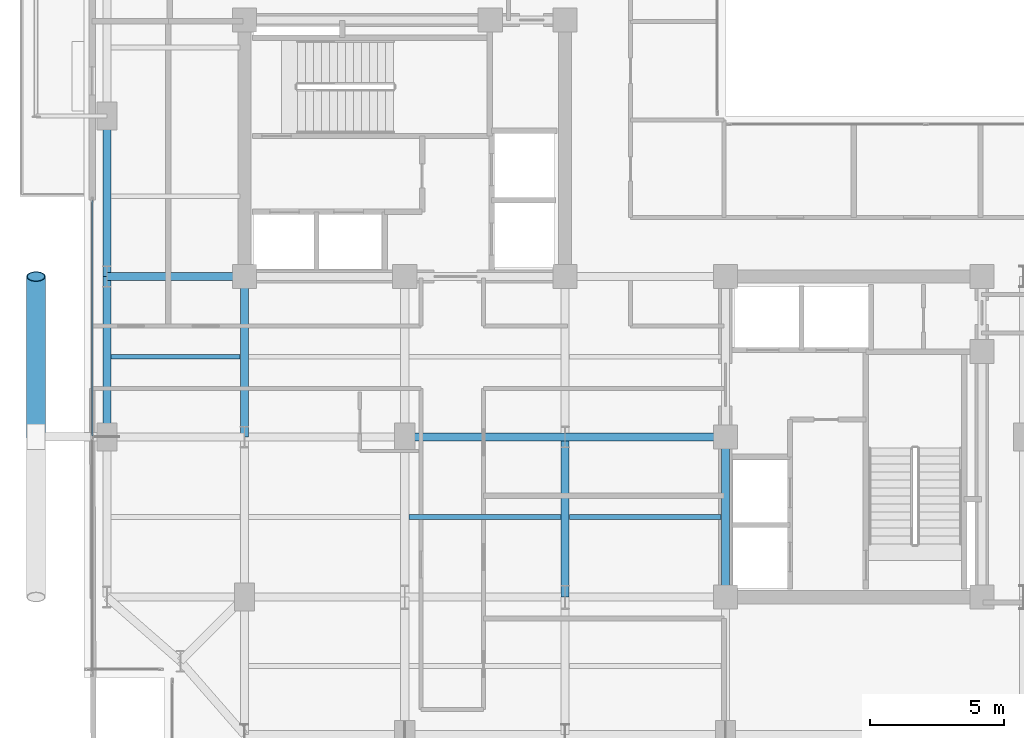
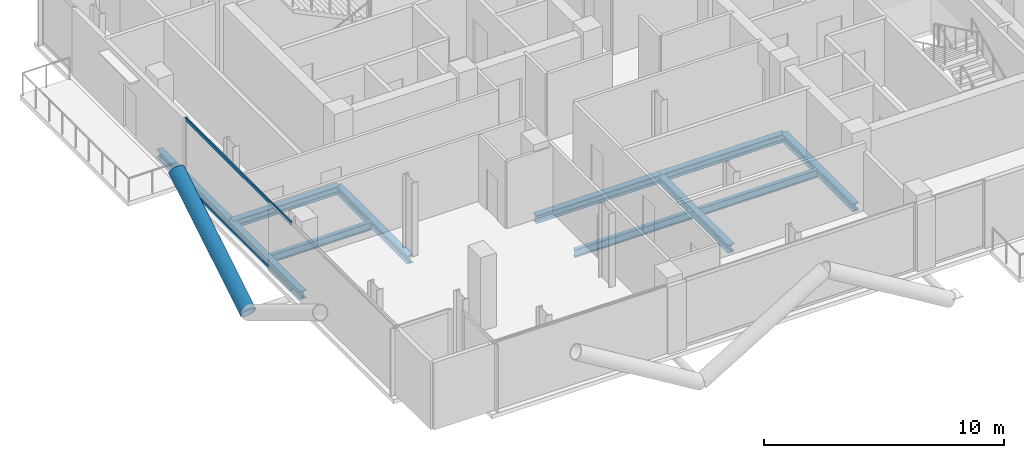
# One storey, part 6 of 25: 11 beams, 3 members, 1 element without a shape of its own.
"""IFC4 building model written with IfcOpenShell, lengths in metres."""

from ifc_helpers import new_model, si_unit, direction, frame, origin, origin_2d, place, context, subcontext, project, spatial, hollow_rectangle, hollow_circle, i_section, extrude, material, layer, layer_set, material_profile, profile_set, type_object, element, aggregate, save


model = new_model("IFC4")

# Units and contexts
model_context = context("Model", 3, precision=1e-05, world=origin(), true_north=direction((0.0, 1.0)))
body_context = subcontext(model_context, "Body", "Model", "MODEL_VIEW")
ifc_project = project(units=[si_unit("LENGTHUNIT", "METRE"), si_unit("AREAUNIT", "SQUARE_METRE"), si_unit("VOLUMEUNIT", "CUBIC_METRE"), si_unit("PLANEANGLEUNIT", "RADIAN"), si_unit("MASSUNIT", "GRAM", prefix="KILO"), si_unit("THERMODYNAMICTEMPERATUREUNIT", "KELVIN"), si_unit("POWERUNIT", "WATT")], contexts=[model_context])

# Site, building, storey
site_placement = place(None, origin())
site = spatial("IfcSite", under=ifc_project, at=site_placement, CompositionType="ELEMENT")
building_placement = place(site_placement, origin())
building = spatial("IfcBuilding", under=site, at=building_placement, Name="Svarakhadi Broadcast Tower", CompositionType="ELEMENT")
storey_placement = place(building_placement, frame((0.0, 0.0, 231.14990234375)))
storey = spatial("IfcBuildingStorey", under=building, at=storey_placement, Name="L57", CompositionType="ELEMENT", Elevation=231.14990234375)

# Beams
ifc_material_1 = material(Name="Steel S355J2 (IS 2062 E350C)", Category="steel")
ifc_material_profile_1 = material_profile(ifc_material_1, i_section(OverallWidth=0.179931640625, OverallDepth=0.39990234375, WebThickness=0.008544921875, FlangeThickness=0.013427734375, FilletRadius=0.02099609375, at=origin_2d()), Name="NPB 400x180x66")
ifc_profile_set_1 = profile_set([ifc_material_profile_1], Name="Steel S355J2 (IS 2062 E350C)")
beam_type_1 = type_object("IfcBeamType", Name="Beam_NPB400", PredefinedType="BEAM", material=ifc_profile_set_1)
beam_1_placement = place(storey_placement, frame((1.010009765625, 15.0, -0.409912109375), z_axis=(1.0, 0.0, 0.0), x_axis=(0.0, 1.0, 0.0)))
element("IfcBeam", 1, at=beam_1_placement, inside=storey, type_object=beam_type_1, Name="L57 Secondary Composite Beam SB002", PredefinedType="BEAM", context=body_context, shape_type="SweptSolid", body=[
    extrude(i_section(OverallWidth=0.179931640625, OverallDepth=0.39990234375, WebThickness=0.008544921875, FlangeThickness=0.013427734375, FilletRadius=0.02099609375, at=origin_2d()), origin(), (0.0, 0.0, 1.0), 4.830078125),
])
for number, where, z_axis, x_axis, name in (
    (2, (12.159912109375, 9.0, -0.409912109375), (1.0, 0.0, 0.0), (0.0, 1.0, 0.0), "L57 Secondary Composite Beam SB010"),
    (3, (18.159912109375, 9.0, -0.409912109375), (1.0, 0.0, 0.0), (0.0, 1.0, 0.0), "L57 Secondary Composite Beam SB014"),
):
    element("IfcBeam", number, at=place(storey_placement, frame(where, z_axis=z_axis, x_axis=x_axis)), inside=storey, type_object=beam_type_1, Name=name, PredefinedType="BEAM", context=body_context, shape_type="SweptSolid", body=[
        extrude(i_section(OverallWidth=0.179931640625, OverallDepth=0.39990234375, WebThickness=0.008544921875, FlangeThickness=0.013427734375, FilletRadius=0.02099609375, at=origin_2d()), origin(), (0.0, 0.0, 1.0), 5.68017578125),
    ])

# Curtain wall, members
ifc_material_2 = material(Name="Anodised Bronze Aluminium AA 6063-T6", Category="aluminium")
ifc_layer = layer(ifc_material_2, 0.18994140625)
ifc_layer_set = layer_set([ifc_layer], Name="Anodised Bronze Aluminium AA 6063-T6")
curtain_wall_type = type_object("IfcCurtainWallType", Name="CW_Sys_04", PredefinedType="NOTDEFINED", material=ifc_layer_set)
curtain_wall_placement = place(storey_placement, origin())
curtain_wall = element("IfcCurtainWall", 4, at=curtain_wall_placement, inside=storey, type_object=curtain_wall_type, Name="L57 West Curtain Wall 02", PredefinedType="NOTDEFINED")
ifc_material_profile_2 = material_profile(ifc_material_2, hollow_rectangle(XDim=0.06494140625, YDim=0.175048828125, WallThickness=0.0048828125, at=origin_2d()), Name="ALU TRANSOM 175x65x5")
ifc_profile_set_2 = profile_set([ifc_material_profile_2], Name="Anodised Bronze Aluminium AA 6063-T6")
member_type_1 = type_object("IfcMemberType", Name="CW_Sys_04_Trn", PredefinedType="USERDEFINED", material=ifc_profile_set_2)
member_1_placement = place(storey_placement, frame((0.300048828125, 12.034912109375, 0.03271484375), z_axis=(0.0, 1.0, 0.0), x_axis=(-1.0, 0.0, 0.0)))
member_1 = element("IfcMember", 5, at=member_1_placement, type_object=member_type_1, Name="CW-04 transom 2.1", ObjectType="TRANSOM", PredefinedType="USERDEFINED", context=body_context, shape_type="SweptSolid", body=[
    extrude(hollow_rectangle(XDim=0.06494140625, YDim=0.175048828125, WallThickness=0.0048828125, at=origin_2d()), origin(), (0.0, 0.0, 1.0), 8.80517578125),
])
member_2_placement = place(storey_placement, frame((0.300048828125, 12.034912109375, 3.392578125), z_axis=(0.0, 1.0, 0.0), x_axis=(-1.0, 0.0, 0.0)))
member_2 = element("IfcMember", 6, at=member_2_placement, type_object=member_type_1, Name="CW-04 transom 2.2", ObjectType="TRANSOM", PredefinedType="USERDEFINED", context=body_context, shape_type="SweptSolid", body=[
    extrude(hollow_rectangle(XDim=0.06494140625, YDim=0.175048828125, WallThickness=0.0048828125, at=origin_2d()), origin(), (0.0, 0.0, 1.0), 8.80517578125),
])
aggregate(curtain_wall, [member_1, member_2])

# Member
ifc_material_3 = material(Name="Steel S460ML (IS 2062 E450BR)", Category="steel")
ifc_material_profile_3 = material_profile(ifc_material_3, hollow_circle(Radius=0.35546875, WallThickness=0.034912109375, at=origin_2d()), Name="CHS 711x35")
ifc_profile_set_3 = profile_set([ifc_material_profile_3], Name="Steel S460ML (IS 2062 E450BR)")
member_type_2 = type_object("IfcMemberType", Name="Exo_Brace_CHS711", PredefinedType="BRACE", material=ifc_profile_set_3)
member_3_placement = place(storey_placement, frame((-1.800048828125, 12.0, -0.371826171875), z_axis=(0.0, 0.855283363051, 0.518160562845), x_axis=(-1.0, 0.0, 0.0)))
element("IfcMember", 7, at=member_3_placement, inside=storey, type_object=member_type_2, Name="L57 Exposed Bronze Exoskeleton Diagonal W05", PredefinedType="BRACE", context=body_context, shape_type="SweptSolid", body=[
    extrude(hollow_circle(Radius=0.35546875, WallThickness=0.034912109375, at=origin_2d()), origin(), (0.0, 0.0, 1.0), 7.01513671875),
])

# Beams
ifc_material_profile_4 = material_profile(ifc_material_1, i_section(OverallWidth=0.300048828125, OverallDepth=0.39990234375, WebThickness=0.013427734375, FlangeThickness=0.02392578125, FilletRadius=0.027099609375, at=origin_2d()), Name="WPB 400x300x155")
ifc_profile_set_4 = profile_set([ifc_material_profile_4], Name="Steel S355J2 (IS 2062 E350C)")
beam_type_2 = type_object("IfcBeamType", Name="Girder_WPB400", PredefinedType="USERDEFINED", material=ifc_profile_set_4)
for number, where, z_axis, x_axis, name in (
    (8, (12.0, 12.0, -0.409912109375), (1.0, 0.0, 0.0), (0.0, 1.0, 0.0), "L57 Primary E-W Girder G017"),
    (9, (18.0, 12.0, -0.409912109375), (1.0, 0.0, 0.0), (0.0, 1.0, 0.0), "L57 Primary E-W Girder G018"),
):
    element("IfcBeam", number, at=place(storey_placement, frame(where, z_axis=z_axis, x_axis=x_axis)), inside=storey, type_object=beam_type_2, Name=name, ObjectType="GIRDER", PredefinedType="USERDEFINED", context=body_context, shape_type="SweptSolid", body=[
        extrude(i_section(OverallWidth=0.300048828125, OverallDepth=0.39990234375, WebThickness=0.013427734375, FlangeThickness=0.02392578125, FilletRadius=0.027099609375, at=origin_2d()), origin(), (0.0, 0.0, 1.0), 6.0),
    ])
beam_2_placement = place(storey_placement, frame((0.85009765625, 18.0, -0.409912109375), z_axis=(1.0, 0.0, 0.0), x_axis=(0.0, 1.0, 0.0)))
element("IfcBeam", 10, at=beam_2_placement, inside=storey, type_object=beam_type_2, Name="L57 Primary E-W Girder G020", ObjectType="GIRDER", PredefinedType="USERDEFINED", context=body_context, shape_type="SweptSolid", body=[
    extrude(i_section(OverallWidth=0.300048828125, OverallDepth=0.39990234375, WebThickness=0.013427734375, FlangeThickness=0.02392578125, FilletRadius=0.027099609375, at=origin_2d()), origin(), (0.0, 0.0, 1.0), 5.14990234375),
])
for number, where, z_axis, x_axis, name in (
    (11, (0.85009765625, 12.0, -0.409912109375), (0.0, 1.0, 0.0), (-1.0, 0.0, 0.0), "L57 Primary N-S Girder G034"),
    (12, (0.85009765625, 18.0, -0.409912109375), (0.0, 1.0, 0.0), (-1.0, 0.0, 0.0), "L57 Primary N-S Girder G035"),
    (13, (6.0, 12.0, -0.409912109375), (0.0, 1.0, 0.0), (-1.0, 0.0, 0.0), "L57 Primary N-S Girder G039"),
    (14, (18.0, 6.0, -0.409912109375), (0.0, 1.0, 0.0), (-1.0, 0.0, 0.0), "L57 Primary N-S Girder G047"),
    (15, (24.0, 6.0, -0.409912109375), (0.0, 1.0, 0.0), (-1.0, 0.0, 0.0), "L57 Primary N-S Girder G052"),
):
    element("IfcBeam", number, at=place(storey_placement, frame(where, z_axis=z_axis, x_axis=x_axis)), inside=storey, type_object=beam_type_2, Name=name, ObjectType="GIRDER", PredefinedType="USERDEFINED", context=body_context, shape_type="SweptSolid", body=[
        extrude(i_section(OverallWidth=0.300048828125, OverallDepth=0.39990234375, WebThickness=0.013427734375, FlangeThickness=0.02392578125, FilletRadius=0.027099609375, at=origin_2d()), origin(), (0.0, 0.0, 1.0), 6.0),
    ])

save(model, "model.ifc")
